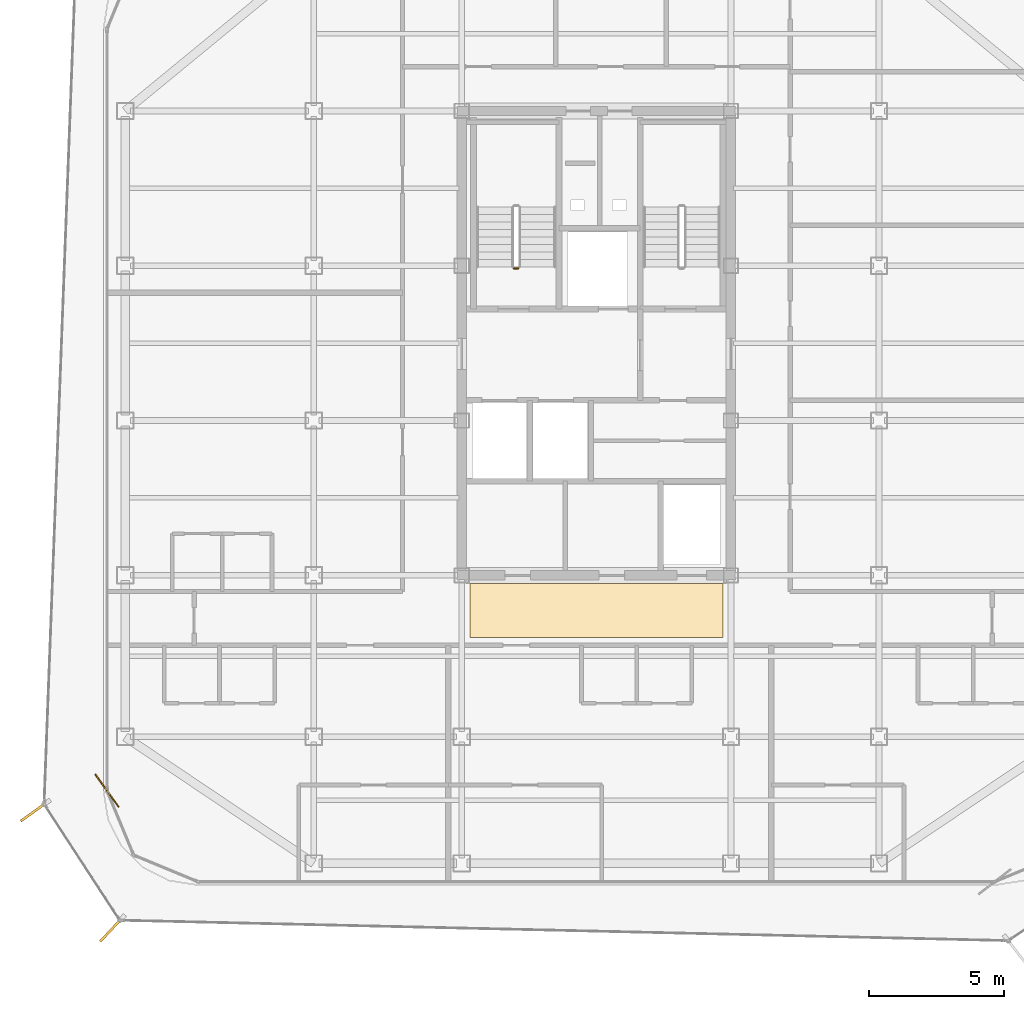
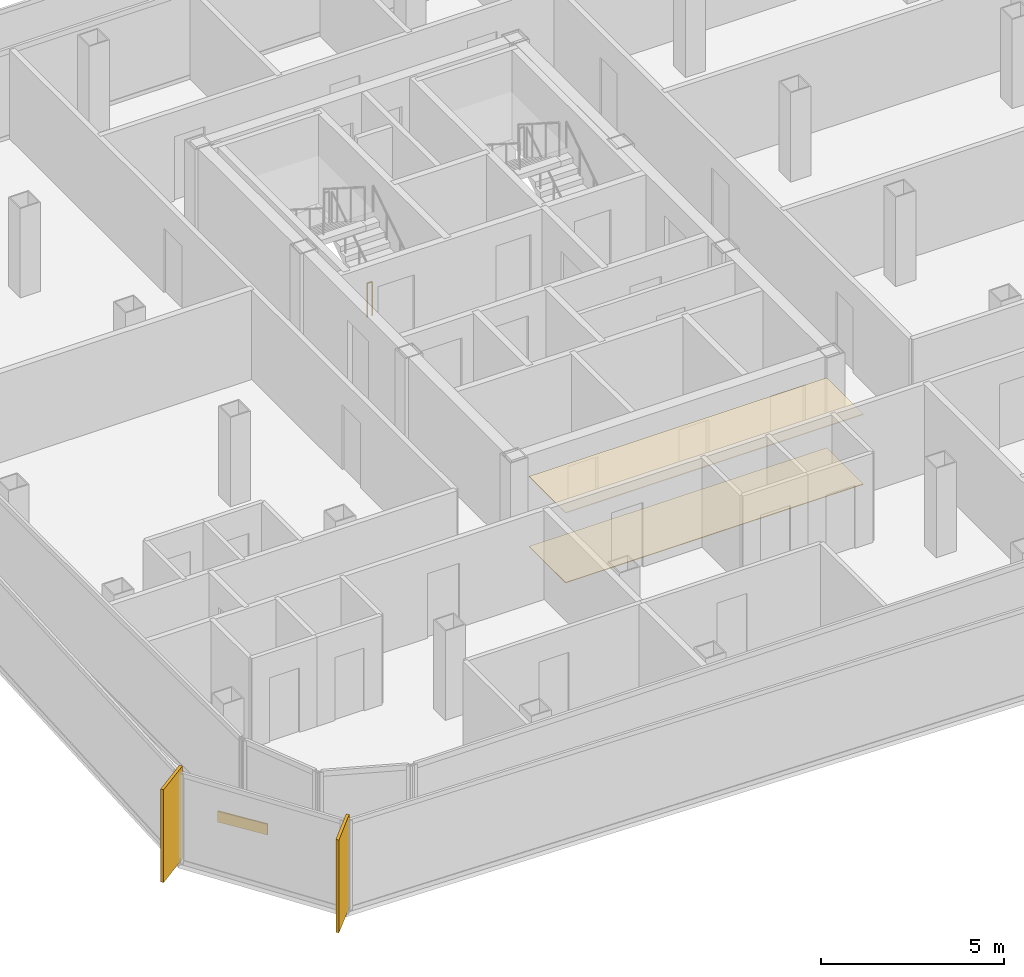
# One storey, part 13 of 15: 3 coverings, 2 shading devices, 1 railing.
"""IFC4 building model written with IfcOpenShell, lengths in metres."""

from ifc_helpers import new_model, si_unit, direction, frame, origin, origin_2d, place, context, subcontext, project, spatial, polyline, rectangle, circle, outline, extrude, source, transform, mapped, material, layer, layer_set, type_object, element, save


model = new_model("IFC4")

# Units and contexts
model_context = context("Model", 3, precision=1e-05, world=origin(), true_north=direction((0.0, 1.0)))
body_context = subcontext(model_context, "Body", "Model", "MODEL_VIEW")
ifc_project = project(units=[si_unit("LENGTHUNIT", "METRE"), si_unit("AREAUNIT", "SQUARE_METRE"), si_unit("VOLUMEUNIT", "CUBIC_METRE"), si_unit("PLANEANGLEUNIT", "RADIAN"), si_unit("MASSUNIT", "GRAM", prefix="KILO")], contexts=[model_context])

# Site, building, storey
site_placement = place(None, origin())
site = spatial("IfcSite", under=ifc_project, at=site_placement, CompositionType="ELEMENT")
building_placement = place(site_placement, origin())
building = spatial("IfcBuilding", under=site, at=building_placement, Name="Kolveth Station Tower", CompositionType="ELEMENT")
storey_placement = place(building_placement, frame((0.0, 0.0, 220.10009765625)))
storey = spatial("IfcBuildingStorey", under=building, at=storey_placement, Name="L62", CompositionType="ELEMENT", Elevation=220.10009765625)

# Coverings
ifc_material_1 = material(Name="Acoustic mineral-fibre ceiling tile")
ifc_layer_1 = layer(ifc_material_1, 0.02490234375)
ifc_layer_set_1 = layer_set([ifc_layer_1], Name="Acoustic mineral-fibre ceiling tile")
covering_type_1 = type_object("IfcCoveringType", Name="Ceil_CL1", PredefinedType="CEILING", material=ifc_layer_set_1)
covering_1_placement = place(storey_placement, frame((0.0, 0.0, 2.329833984375)))
element("IfcCovering", 1, at=covering_1_placement, inside=storey, type_object=covering_type_1, Name="L62 Lift Lobby Suspended Ceiling", PredefinedType="CEILING", context=body_context, shape_type="SweptSolid", body=[
    extrude(outline(polyline([(18.800048828125, 9.199951171875), (28.199951171875, 9.199951171875), (28.199951171875, 11.199951171875), (18.800048828125, 11.199951171875), (18.800048828125, 9.199951171875)])), origin(), (0.0, 0.0, 1.0), 0.025146484375),
])
ifc_material_2 = material(Name="Honed terrazzo flooring")
ifc_layer_2 = layer(ifc_material_2, 0.02001953125)
ifc_layer_set_2 = layer_set([ifc_layer_2], Name="Honed terrazzo flooring")
covering_type_2 = type_object("IfcCoveringType", Name="Floor_FL1", PredefinedType="FLOORING", material=ifc_layer_set_2)
covering_2_placement = place(storey_placement, origin())
element("IfcCovering", 2, at=covering_2_placement, inside=storey, type_object=covering_type_2, Name="L62 Lift Lobby Floor Finish", PredefinedType="FLOORING", context=body_context, shape_type="SweptSolid", body=[
    extrude(outline(polyline([(18.800048828125, 9.199951171875), (28.199951171875, 9.199951171875), (28.199951171875, 11.199951171875), (18.800048828125, 11.199951171875), (18.800048828125, 9.199951171875)])), origin(), (0.0, 0.0, 1.0), 0.02001953125),
])

# Railing
ifc_material_3 = material(Name="Painted Steel S355 balustrade", Category="steel")
railing_type = type_object("IfcRailingType", Name="Guard_GR2", PredefinedType="BALUSTRADE", material=ifc_material_3)
railing_placement = place(storey_placement, frame((20.60009765625, 22.89990234375, 0.0)))
element("IfcRailing", 3, at=railing_placement, inside=storey, type_object=railing_type, Name="L62 ST1 stair guard 4", PredefinedType="BALUSTRADE", context=body_context, shape_type="SweptSolid", body=[
    extrude(circle(Radius=0.02392578125, at=origin_2d()), frame((0.0, 0.0, 1.1259765625), z_axis=(-1.0, 0.0, 0.0), x_axis=(0.0, -1.0, 0.0)), (0.0, 0.0, 1.0), 0.16015625),
    extrude(circle(Radius=0.02099609375, at=origin_2d()), origin(), (0.0, 0.0, 1.0), 1.101806640625),
    extrude(circle(Radius=0.02099609375, at=origin_2d()), frame((-0.16015625, 0.0, 0.0)), (0.0, 0.0, 1.0), 1.101806640625),
])

# Shading devices
ifc_material_4 = material(Name="Black anodized aluminium 6063-T6", Category="aluminium")
shading_device_type = type_object("IfcShadingDeviceType", Name="FIN_VF1", PredefinedType="USERDEFINED", material=ifc_material_4)
shared_shape_1 = source(origin(), body_context, "Body", "SweptSolid", [
    extrude(rectangle(XDim=1.25, YDim=0.090087890625, at=origin_2d()), origin(), (0.0, 0.0, 1.0), 3.10009765625),
])
for number, where, z_axis, x_axis, name in (
    (4, (2.625, 2.73388671875, -0.000244140625), (0.0, 0.0, 1.0), (-0.813608449501, -0.58141318432, 0.0), "L62 Dark-Aluminium Solar Fin 7"),
    (5, (5.493896484375, -1.64697265625, -0.000244140625), (0.0, 0.0, 1.0), (-0.682253609109, -0.73111559473, 0.0), "L62 Dark-Aluminium Solar Fin 8"),
):
    element("IfcShadingDevice", number, at=place(storey_placement, frame(where, z_axis=z_axis, x_axis=x_axis)), inside=storey, type_object=shading_device_type, Name=name, ObjectType="FIN", PredefinedType="USERDEFINED", context=body_context, shape_type="MappedRepresentation", body=[
        mapped(shared_shape_1, transform((0.0, 0.0, 0.0), x_axis=(1.0, 0.0, 0.0), y_axis=(0.0, 1.0, 0.0), z_axis=(0.0, 0.0, 1.0), scale=1.0)),
    ])

# Covering
ifc_material_5 = material(Name="Charcoal anodized aluminium spandrel cladding", Category="aluminium")
ifc_layer_3 = layer(ifc_material_5, 0.044921875)
ifc_layer_set_3 = layer_set([ifc_layer_3], Name="Charcoal anodized aluminium spandrel cladding")
covering_type_3 = type_object("IfcCoveringType", Name="Clad_CD1", PredefinedType="CLADDING", material=ifc_layer_set_3)
shared_shape_2 = source(origin(), body_context, "Body", "SweptSolid", [
    extrude(rectangle(XDim=1.5, YDim=0.044921875, at=origin_2d()), origin(), (0.0, 0.0, 1.0), 0.360107421875),
])
covering_3_placement = place(storey_placement, frame((5.320068359375, 3.5, 0.0), z_axis=(0.0, 0.0, 1.0), x_axis=(0.58141318432, -0.813608449501, 0.0)))
element("IfcCovering", 6, at=covering_3_placement, inside=storey, type_object=covering_type_3, Name="L62 Spandrel Edge Cladding 7", PredefinedType="CLADDING", context=body_context, shape_type="MappedRepresentation", body=[
    mapped(shared_shape_2, transform((0.0, 0.0, 0.0), x_axis=(1.0, 0.0, 0.0), y_axis=(0.0, 1.0, 0.0), z_axis=(0.0, 0.0, 1.0), scale=1.0)),
])

save(model, "model.ifc")
